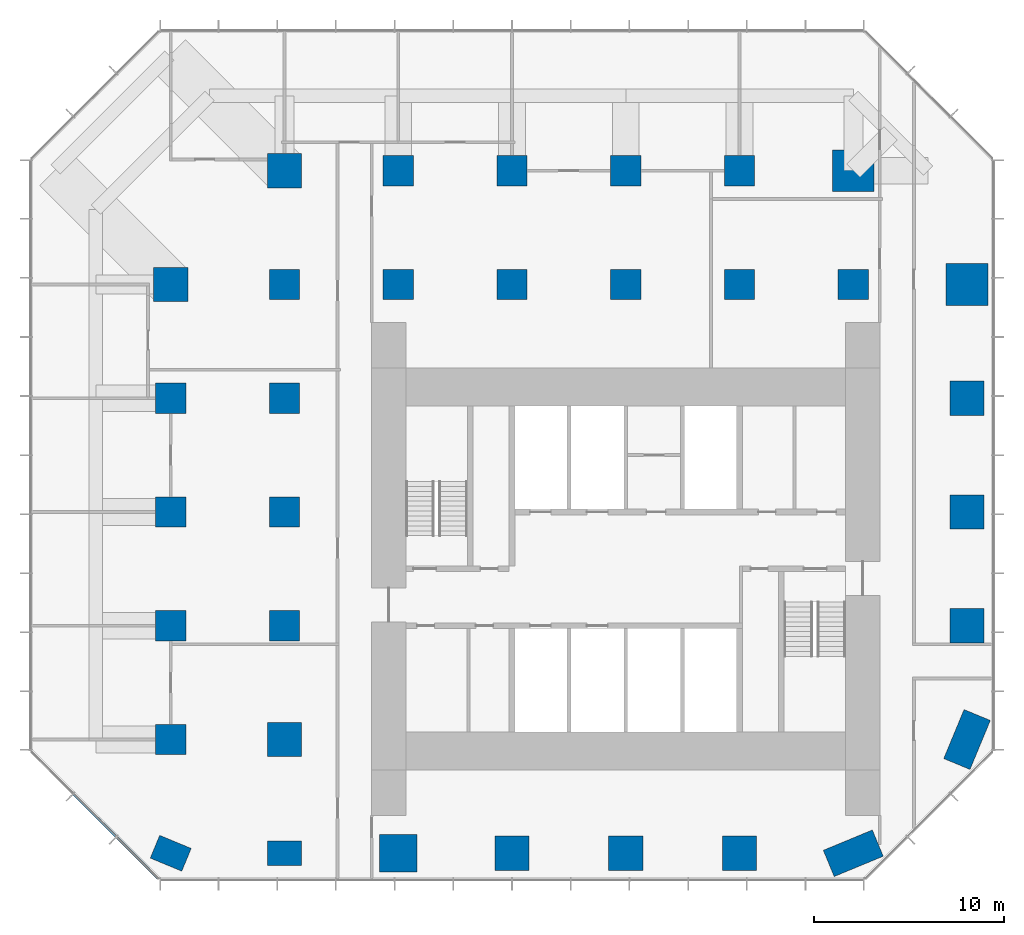
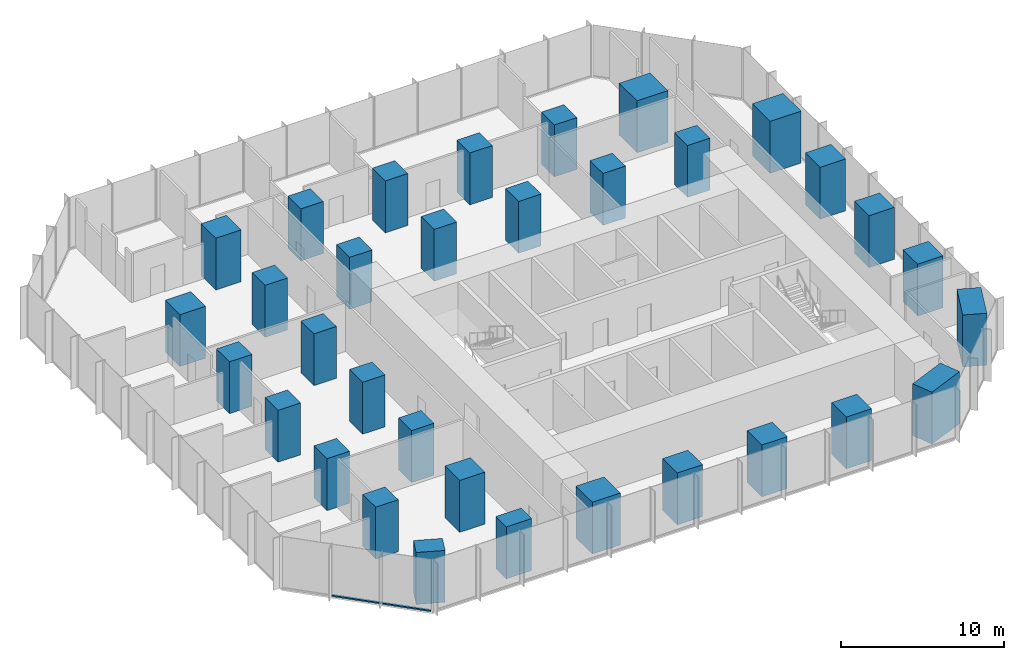
# One storey, part 1 of 11: 33 columns, 2 members, 1 element without a shape of its own.
"""IFC4 building model written with IfcOpenShell, lengths in metres."""

from ifc_helpers import new_model, si_unit, direction, frame, origin, origin_2d, place, context, subcontext, project, spatial, rectangle, extrude, material, layer, layer_set, material_profile, profile_set, type_object, element, aggregate, save


model = new_model("IFC4")

# Units and contexts
model_context = context("Model", 3, precision=1e-05, world=origin(), true_north=direction((0.0, 1.0)))
body_context = subcontext(model_context, "Body", "Model", "MODEL_VIEW")
ifc_project = project(units=[si_unit("LENGTHUNIT", "METRE"), si_unit("AREAUNIT", "SQUARE_METRE"), si_unit("VOLUMEUNIT", "CUBIC_METRE"), si_unit("PLANEANGLEUNIT", "RADIAN"), si_unit("MASSUNIT", "GRAM", prefix="KILO")], contexts=[model_context])

# Site, building, storey
site_placement = place(None, origin())
site = spatial("IfcSite", under=ifc_project, at=site_placement, CompositionType="ELEMENT")
building_placement = place(site_placement, origin())
building = spatial("IfcBuilding", under=site, at=building_placement, Name="Highveld Stack Headquarters", CompositionType="ELEMENT")
storey_placement = place(building_placement, frame((0.0, 0.0, 105.5)))
storey = spatial("IfcBuildingStorey", under=building, at=storey_placement, Name="L25", CompositionType="ELEMENT", Elevation=105.5)

# Columns
ifc_material_1 = material(Name="Concrete C60/75", Category="concrete")
ifc_material_profile_1 = material_profile(ifc_material_1, rectangle(XDim=1.60009765625, YDim=1.60009765625, at=origin_2d()), Name="RC 1600x1600")
ifc_profile_set_1 = profile_set([ifc_material_profile_1], Name="Concrete C60/75")
column_type_1 = type_object("IfcColumnType", Name="COLUMN RC 1600x1600 C60/75", PredefinedType="COLUMN", material=ifc_profile_set_1)
for number, where, z_axis, x_axis, name in (
    (1, (-18.0, -6.0, 0.0), (0.0, 0.0, 1.0), (1.0, 0.0, 0.0), "Column 3/D L25"),
    (2, (-18.0, 0.0, 0.0), (0.0, 0.0, 1.0), (1.0, 0.0, 0.0), "Column 3/E L25"),
    (3, (-18.0, 6.0, 0.0), (0.0, 0.0, 1.0), (1.0, 0.0, 0.0), "Column 3/F L25"),
    (4, (-18.0, 12.0, 0.0), (0.0, 0.0, 1.0), (1.0, 0.0, 0.0), "Column 3/G L25"),
    (5, (-12.0, 0.0, 0.0), (0.0, 0.0, 1.0), (1.0, 0.0, 0.0), "Column 4/E L25"),
    (6, (-12.0, 6.0, 0.0), (0.0, 0.0, 1.0), (1.0, 0.0, 0.0), "Column 4/F L25"),
    (7, (-12.0, 12.0, 0.0), (0.0, 0.0, 1.0), (1.0, 0.0, 0.0), "Column 4/G L25"),
    (8, (-12.0, 18.0, 0.0), (0.0, 0.0, 1.0), (1.0, 0.0, 0.0), "Column 4/H L25"),
    (9, (-6.0, 18.0, 0.0), (0.0, 0.0, 1.0), (1.0, 0.0, 0.0), "Column 5/H L25"),
    (10, (-6.0, 24.0, 0.0), (0.0, 0.0, 1.0), (1.0, 0.0, 0.0), "Column 5/J L25"),
    (11, (0.0, 18.0, 0.0), (0.0, 0.0, 1.0), (1.0, 0.0, 0.0), "Column 6/H L25"),
    (12, (0.0, 24.0, 0.0), (0.0, 0.0, 1.0), (1.0, 0.0, 0.0), "Column 6/J L25"),
    (13, (6.0, 18.0, 0.0), (0.0, 0.0, 1.0), (1.0, 0.0, 0.0), "Column 7/H L25"),
    (14, (6.0, 24.0, 0.0), (0.0, 0.0, 1.0), (1.0, 0.0, 0.0), "Column 7/J L25"),
    (15, (12.0, 18.0, 0.0), (0.0, 0.0, 1.0), (1.0, 0.0, 0.0), "Column 8/H L25"),
    (16, (12.0, 24.0, 0.0), (0.0, 0.0, 1.0), (1.0, 0.0, 0.0), "Column 8/J L25"),
    (17, (18.0, 18.0, 0.0), (0.0, 0.0, 1.0), (1.0, 0.0, 0.0), "Column 9/H L25"),
):
    element("IfcColumn", number, at=place(storey_placement, frame(where, z_axis=z_axis, x_axis=x_axis)), inside=storey, type_object=column_type_1, Name=name, PredefinedType="COLUMN", context=body_context, shape_type="SweptSolid", body=[
        extrude(rectangle(XDim=1.60009765625, YDim=1.60009765625, at=origin_2d()), origin(), (0.0, 0.0, 1.0), 3.89990234375),
    ])
ifc_material_2 = material(Name="Concrete C60/75", Category="concrete")
ifc_material_profile_2 = material_profile(ifc_material_2, rectangle(XDim=1.800048828125, YDim=1.300048828125, at=origin_2d()), Name="RC 1800x1300")
ifc_profile_set_2 = profile_set([ifc_material_profile_2], Name="Concrete C60/75")
column_type_2 = type_object("IfcColumnType", Name="COLUMN RC 1800x1300 C60/75", PredefinedType="COLUMN", material=ifc_profile_set_2)
for number, where, z_axis, x_axis, name in (
    (18, (-18.0, -12.0, 0.0), (0.0, 0.0, 1.0), (-0.923879532511, 0.382683432365, 0.0), "Column 3/C L25"),
    (19, (-12.0, -12.0, 0.0), (0.0, 0.0, 1.0), (1.0, 0.0, 0.0), "Column 4/C L25"),
):
    element("IfcColumn", number, at=place(storey_placement, frame(where, z_axis=z_axis, x_axis=x_axis)), inside=storey, type_object=column_type_2, Name=name, PredefinedType="COLUMN", context=body_context, shape_type="SweptSolid", body=[
        extrude(rectangle(XDim=1.800048828125, YDim=1.300048828125, at=origin_2d()), origin(), (0.0, 0.0, 1.0), 3.89990234375),
    ])
ifc_material_3 = material(Name="Concrete C60/75", Category="concrete")
ifc_material_profile_3 = material_profile(ifc_material_3, rectangle(XDim=1.800048828125, YDim=1.800048828125, at=origin_2d()), Name="RC 1800x1800")
ifc_profile_set_3 = profile_set([ifc_material_profile_3], Name="Concrete C60/75")
column_type_3 = type_object("IfcColumnType", Name="COLUMN RC 1800x1800 C60/75", PredefinedType="COLUMN", material=ifc_profile_set_3)
for number, where, z_axis, x_axis, name in (
    (20, (-18.0, 18.0, 0.0), (0.0, 0.0, 1.0), (1.0, 0.0, 0.0), "Column 3/H L25"),
    (21, (-12.0, -6.0, 0.0), (0.0, 0.0, 1.0), (1.0, 0.0, 0.0), "Column 4/D L25"),
    (22, (-12.0, 24.0, 0.0), (0.0, 0.0, 1.0), (1.0, 0.0, 0.0), "Column 4/J L25"),
    (23, (0.0, -12.0, 0.0), (0.0, 0.0, 1.0), (1.0, 0.0, 0.0), "Column 6/C L25"),
    (24, (6.0, -12.0, 0.0), (0.0, 0.0, 1.0), (1.0, 0.0, 0.0), "Column 7/C L25"),
    (25, (12.0, -12.0, 0.0), (0.0, 0.0, 1.0), (1.0, 0.0, 0.0), "Column 8/C L25"),
    (26, (24.0, 0.0, 0.0), (0.0, 0.0, 1.0), (1.0, 0.0, 0.0), "Column 10/E L25"),
    (27, (24.0, 6.0, 0.0), (0.0, 0.0, 1.0), (1.0, 0.0, 0.0), "Column 10/F L25"),
    (28, (24.0, 12.0, 0.0), (0.0, 0.0, 1.0), (1.0, 0.0, 0.0), "Column 10/G L25"),
):
    element("IfcColumn", number, at=place(storey_placement, frame(where, z_axis=z_axis, x_axis=x_axis)), inside=storey, type_object=column_type_3, Name=name, PredefinedType="COLUMN", context=body_context, shape_type="SweptSolid", body=[
        extrude(rectangle(XDim=1.800048828125, YDim=1.800048828125, at=origin_2d()), origin(), (0.0, 0.0, 1.0), 3.89990234375),
    ])
ifc_material_4 = material(Name="Concrete C60/75", Category="concrete")
ifc_material_profile_4 = material_profile(ifc_material_4, rectangle(XDim=2.0, YDim=2.0, at=origin_2d()), Name="RC 2000x2000")
ifc_profile_set_4 = profile_set([ifc_material_profile_4], Name="Concrete C60/75")
column_type_4 = type_object("IfcColumnType", Name="COLUMN RC 2000x2000 C60/75", PredefinedType="COLUMN", material=ifc_profile_set_4)
column_placement = place(storey_placement, frame((-6.0, -12.0, 0.0), z_axis=(0.0, 0.0, 1.0), x_axis=(1.0, 0.0, 0.0)))
element("IfcColumn", 29, at=column_placement, inside=storey, type_object=column_type_4, Name="Column 5/C L25", PredefinedType="COLUMN", context=body_context, shape_type="SweptSolid", body=[
    extrude(rectangle(XDim=2.0, YDim=2.0, at=origin_2d()), origin(), (0.0, 0.0, 1.0), 3.89990234375),
])
ifc_material_5 = material(Name="Concrete C60/75", Category="concrete")
ifc_material_profile_5 = material_profile(ifc_material_5, rectangle(XDim=2.199951171875, YDim=2.199951171875, at=origin_2d()), Name="RC 2200x2200")
ifc_profile_set_5 = profile_set([ifc_material_profile_5], Name="Concrete C60/75")
column_type_5 = type_object("IfcColumnType", Name="COLUMN RC 2200x2200 C60/75", PredefinedType="COLUMN", material=ifc_profile_set_5)
for number, where, z_axis, x_axis, name in (
    (30, (18.0, 24.0, 0.0), (0.0, 0.0, 1.0), (1.0, 0.0, 0.0), "Column 9/J L25"),
    (31, (24.0, 18.0, 0.0), (0.0, 0.0, 1.0), (1.0, 0.0, 0.0), "Column 10/H L25"),
):
    element("IfcColumn", number, at=place(storey_placement, frame(where, z_axis=z_axis, x_axis=x_axis)), inside=storey, type_object=column_type_5, Name=name, PredefinedType="COLUMN", context=body_context, shape_type="SweptSolid", body=[
        extrude(rectangle(XDim=2.199951171875, YDim=2.199951171875, at=origin_2d()), origin(), (0.0, 0.0, 1.0), 3.89990234375),
    ])
ifc_material_6 = material(Name="Concrete C60/75", Category="concrete")
ifc_material_profile_6 = material_profile(ifc_material_6, rectangle(XDim=2.800048828125, YDim=1.5, at=origin_2d()), Name="RC 2800x1500")
ifc_profile_set_6 = profile_set([ifc_material_profile_6], Name="Concrete C60/75")
column_type_6 = type_object("IfcColumnType", Name="COLUMN RC 2800x1500 C60/75", PredefinedType="COLUMN", material=ifc_profile_set_6)
for number, where, z_axis, x_axis, name in (
    (32, (18.0, -12.0, 0.0), (0.0, 0.0, 1.0), (-0.923879532511, -0.382683432365, 0.0), "Column 9/C L25"),
    (33, (24.0, -6.0, 0.0), (0.0, 0.0, 1.0), (-0.382683432365, -0.923879532511, 0.0), "Column 10/D L25"),
):
    element("IfcColumn", number, at=place(storey_placement, frame(where, z_axis=z_axis, x_axis=x_axis)), inside=storey, type_object=column_type_6, Name=name, PredefinedType="COLUMN", context=body_context, shape_type="SweptSolid", body=[
        extrude(rectangle(XDim=2.800048828125, YDim=1.5, at=origin_2d()), origin(), (0.0, 0.0, 1.0), 3.89990234375),
    ])

# Curtain wall, members
ifc_material_7 = material(Name="Aluminium bronze anodised", Category="aluminium")
ifc_layer = layer(ifc_material_7, 0.199951171875)
ifc_layer_set = layer_set([ifc_layer], Name="Aluminium bronze anodised")
curtain_wall_type = type_object("IfcCurtainWallType", Name="CW2 TOWER CHAMFER UNITISED CURTAIN WALL", PredefinedType="NOTDEFINED", material=ifc_layer_set)
curtain_wall_placement = place(storey_placement, origin())
curtain_wall = element("IfcCurtainWall", 34, at=curtain_wall_placement, inside=storey, type_object=curtain_wall_type, Name="Curtain wall CW2 L25 SW", PredefinedType="NOTDEFINED")
ifc_material_8 = material(Name="Aluminium bronze anodised", Category="aluminium")
ifc_material_profile_7 = material_profile(ifc_material_8, rectangle(XDim=0.14990234375, YDim=0.10009765625, at=origin_2d()), Name="CW2 TRANSOM 150x100")
ifc_profile_set_7 = profile_set([ifc_material_profile_7], Name="Aluminium bronze anodised")
member_type = type_object("IfcMemberType", Name="CW2 STACK TRANSOM 150x100", PredefinedType="USERDEFINED", material=ifc_profile_set_7)
member_1_placement = place(storey_placement, frame((-23.103759765625, -8.876220703125, 0.050048828125), z_axis=(0.707106781187, -0.707106781187, 0.0), x_axis=(0.707106781187, 0.707106781187, 0.0)))
member_1 = element("IfcMember", 35, at=member_1_placement, type_object=member_type, Name="CW2 transom L25 2.1", ObjectType="TRANSOM", PredefinedType="USERDEFINED", context=body_context, shape_type="SweptSolid", body=[
    extrude(rectangle(XDim=0.14990234375, YDim=0.10009765625, at=origin_2d()), origin(), (0.0, 0.0, 1.0), 3.150146484375),
])
member_2_placement = place(storey_placement, frame((-20.830322265625, -11.149658203125, 0.050048828125), z_axis=(0.707106781187, -0.707106781187, 0.0), x_axis=(0.707106781187, 0.707106781187, 0.0)))
member_2 = element("IfcMember", 36, at=member_2_placement, type_object=member_type, Name="CW2 transom L25 3.1", ObjectType="TRANSOM", PredefinedType="USERDEFINED", context=body_context, shape_type="SweptSolid", body=[
    extrude(rectangle(XDim=0.14990234375, YDim=0.10009765625, at=origin_2d()), origin(), (0.0, 0.0, 1.0), 3.08251953125),
])
aggregate(curtain_wall, [member_1, member_2])

save(model, "model.ifc")
